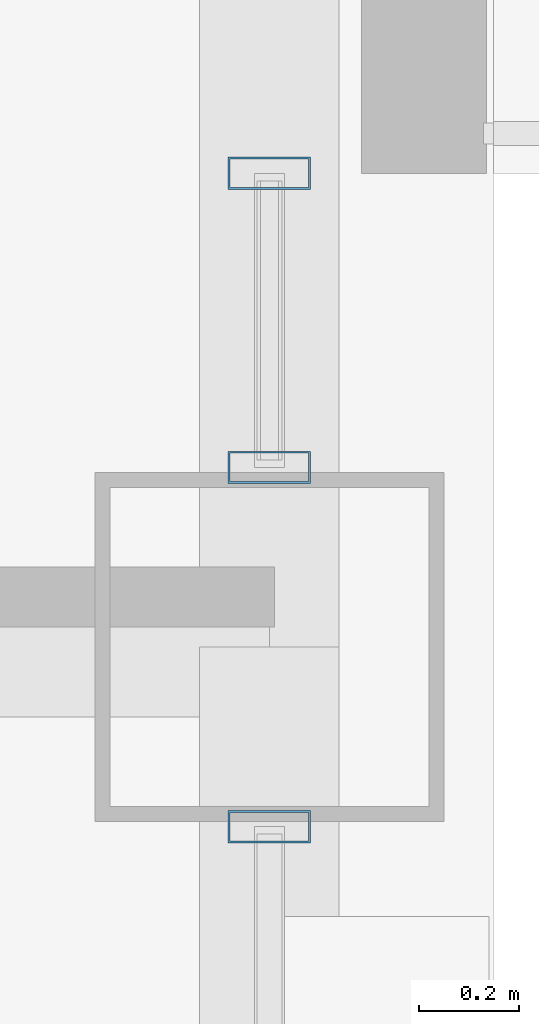
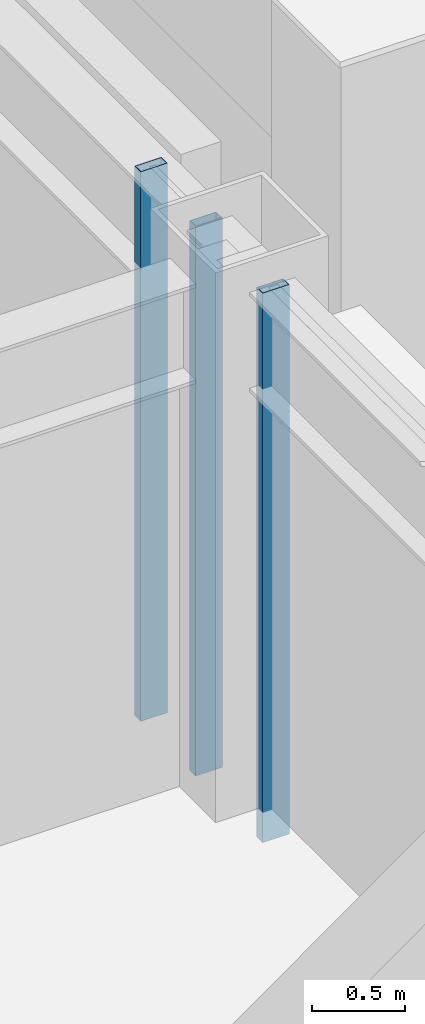
# One storey, part 14 of 30: 3 members, 2 elements without a shape of their own.
"""IFC4 building model written with IfcOpenShell, lengths in metres."""

from ifc_helpers import new_model, si_unit, direction, frame, origin, origin_2d, place, context, subcontext, project, spatial, hollow_rectangle, extrude, material, layer, layer_set, material_profile, profile_set, type_object, element, aggregate, save


model = new_model("IFC4")

# Units and contexts
model_context = context("Model", 3, precision=1e-05, world=origin(), true_north=direction((0.0, 1.0)))
body_context = subcontext(model_context, "Body", "Model", "MODEL_VIEW")
ifc_project = project(units=[si_unit("LENGTHUNIT", "METRE"), si_unit("AREAUNIT", "SQUARE_METRE"), si_unit("VOLUMEUNIT", "CUBIC_METRE"), si_unit("PLANEANGLEUNIT", "RADIAN"), si_unit("MASSUNIT", "GRAM", prefix="KILO")], contexts=[model_context])

# Site, building, storey
site_placement = place(None, origin())
site = spatial("IfcSite", under=ifc_project, at=site_placement, CompositionType="ELEMENT")
building_placement = place(site_placement, origin())
building = spatial("IfcBuilding", under=site, at=building_placement, Name="Brelmoor Portico Tower", CompositionType="ELEMENT")
storey_placement = place(building_placement, frame((0.0, 0.0, 187.5)))
storey = spatial("IfcBuildingStorey", under=building, at=storey_placement, Name="L49", CompositionType="ELEMENT", Elevation=187.5)

# Curtain wall, member
ifc_material = material(Name="Anodised Aluminium Alloy 6063-T6", Category="aluminium")
ifc_layer_1 = layer(ifc_material, 0.179931640625)
ifc_layer_set_1 = layer_set([ifc_layer_1], Name="Anodised Aluminium Alloy 6063-T6")
curtain_wall_type_1 = type_object("IfcCurtainWallType", Name="CW-TOWER-Z3-XB", PredefinedType="NOTDEFINED", material=ifc_layer_set_1)
curtain_wall_1_placement = place(storey_placement, origin())
curtain_wall_1 = element("IfcCurtainWall", 1, at=curtain_wall_1_placement, inside=storey, type_object=curtain_wall_type_1, Name="L49 Curtain Wall CW-L49-4L-1", PredefinedType="NOTDEFINED")
ifc_material_profile = material_profile(ifc_material, hollow_rectangle(XDim=0.06494140625, YDim=0.1650390625, WallThickness=0.00390625, at=origin_2d()), Name="ALU MULLION 65x165")
ifc_profile_set = profile_set([ifc_material_profile], Name="Anodised Aluminium Alloy 6063-T6")
member_type = type_object("IfcMemberType", Name="MB-CW-MULL-165", PredefinedType="MULLION", material=ifc_profile_set)
member_1_placement = place(storey_placement, frame((20.550048828125, -10.110107421875, -0.199951171875), z_axis=(0.0, 0.0, 1.0), x_axis=(0.0, 1.0, 0.0)))
member_1 = element("IfcMember", 2, at=member_1_placement, type_object=member_type, Name="CW-L49-4L-1 Mullion 01", PredefinedType="MULLION", context=body_context, shape_type="SweptSolid", body=[
    extrude(hollow_rectangle(XDim=0.06494140625, YDim=0.1650390625, WallThickness=0.00390625, at=origin_2d()), origin(), (0.0, 0.0, 1.0), 3.599853515625),
])
aggregate(curtain_wall_1, [member_1])

# Curtain wall, members
ifc_layer_2 = layer(ifc_material, 0.179931640625)
ifc_layer_set_2 = layer_set([ifc_layer_2], Name="Anodised Aluminium Alloy 6063-T6")
curtain_wall_type_2 = type_object("IfcCurtainWallType", Name="CW-TOWER-Z3", PredefinedType="NOTDEFINED", material=ifc_layer_set_2)
curtain_wall_2_placement = place(storey_placement, origin())
curtain_wall_2 = element("IfcCurtainWall", 3, at=curtain_wall_2_placement, inside=storey, type_object=curtain_wall_type_2, Name="L49 Curtain Wall CW-L49-4L-2", PredefinedType="NOTDEFINED")
member_2_placement = place(storey_placement, frame((20.550048828125, -9.389892578125, -0.199951171875), z_axis=(0.0, 0.0, 1.0), x_axis=(0.0, 1.0, 0.0)))
member_2 = element("IfcMember", 4, at=member_2_placement, type_object=member_type, Name="CW-L49-4L-2 Mullion 00", PredefinedType="MULLION", context=body_context, shape_type="SweptSolid", body=[
    extrude(hollow_rectangle(XDim=0.06494140625, YDim=0.1650390625, WallThickness=0.00390625, at=origin_2d()), origin(), (0.0, 0.0, 1.0), 3.599853515625),
])
member_3_placement = place(storey_placement, frame((20.550048828125, -8.800048828125, -0.199951171875), z_axis=(0.0, 0.0, 1.0), x_axis=(0.0, 1.0, 0.0)))
member_3 = element("IfcMember", 5, at=member_3_placement, type_object=member_type, Name="CW-L49-4L-2 Mullion 01", PredefinedType="MULLION", context=body_context, shape_type="SweptSolid", body=[
    extrude(hollow_rectangle(XDim=0.06494140625, YDim=0.1650390625, WallThickness=0.00390625, at=origin_2d()), origin(), (0.0, 0.0, 1.0), 3.599853515625),
])
aggregate(curtain_wall_2, [member_2, member_3])

save(model, "model.ifc")
